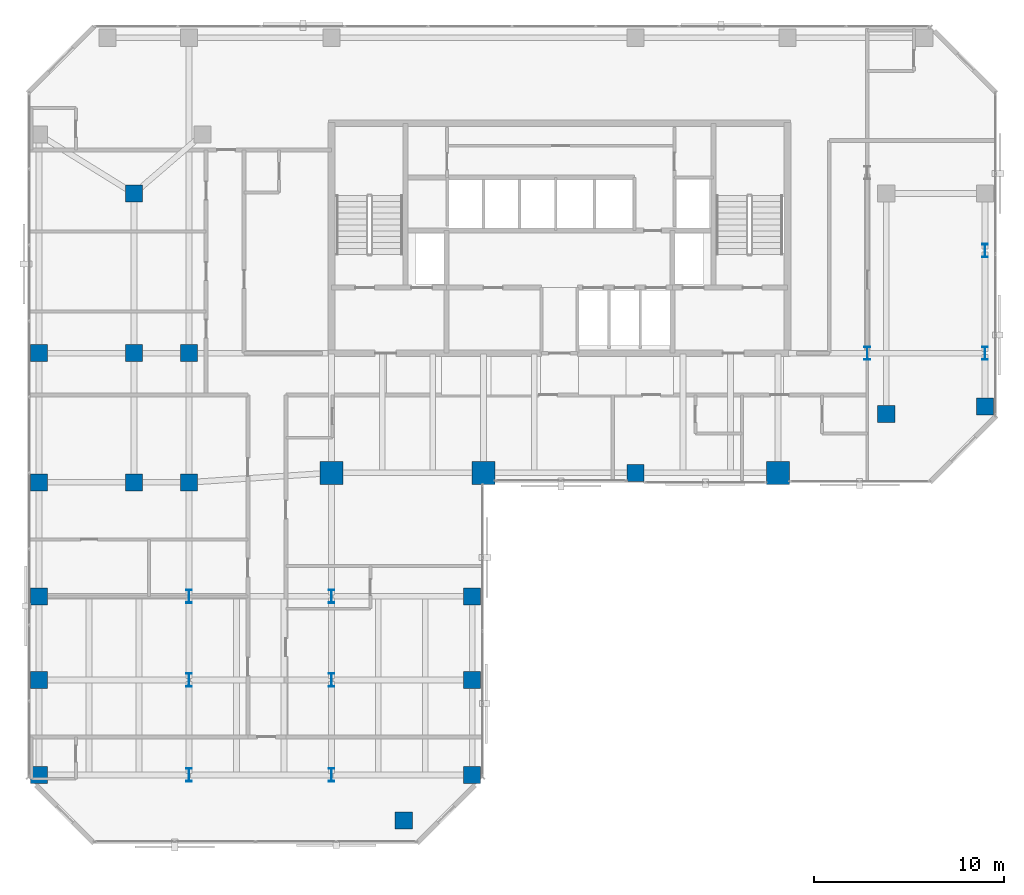
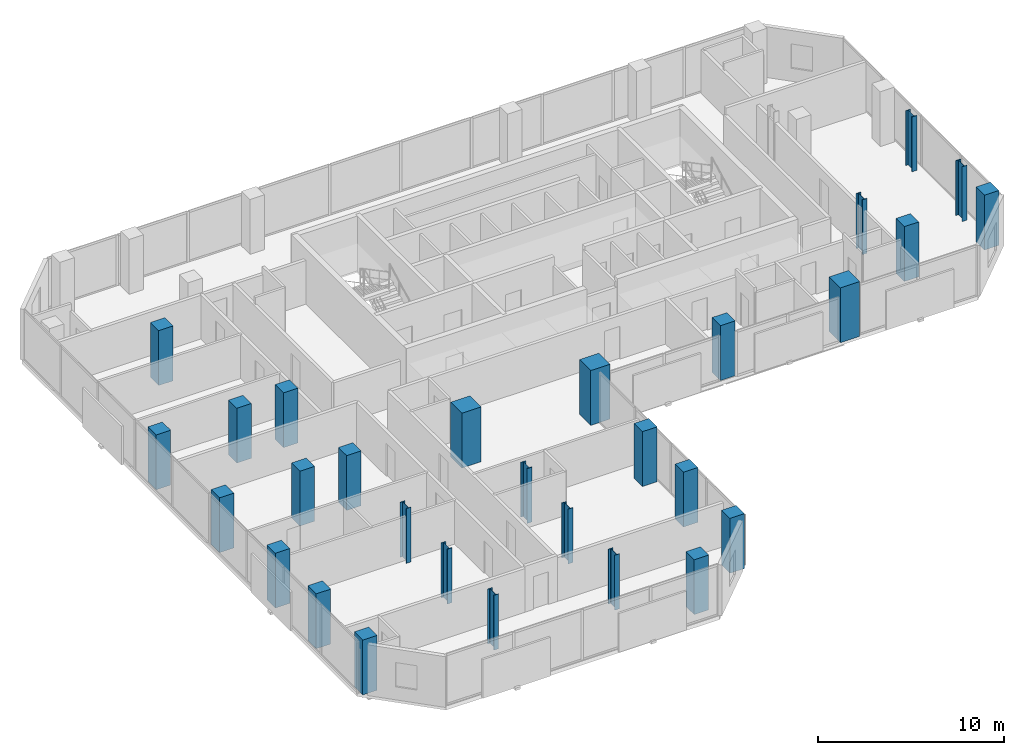
# One storey, part 1 of 34: 29 columns.
"""IFC4 building model written with IfcOpenShell, lengths in metres."""

from ifc_helpers import new_model, si_unit, direction, frame, origin, origin_2d, place, context, subcontext, project, spatial, rectangle, i_section, extrude, material, material_profile, profile_set, type_object, element, save


model = new_model("IFC4")

# Units and contexts
model_context = context("Model", 3, precision=1e-05, world=origin(), true_north=direction((0.0, 1.0)))
body_context = subcontext(model_context, "Body", "Model", "MODEL_VIEW")
ifc_project = project(units=[si_unit("LENGTHUNIT", "METRE"), si_unit("AREAUNIT", "SQUARE_METRE"), si_unit("VOLUMEUNIT", "CUBIC_METRE"), si_unit("PLANEANGLEUNIT", "RADIAN"), si_unit("MASSUNIT", "GRAM", prefix="KILO")], contexts=[model_context])

# Site, building, storey
site_placement = place(None, origin())
site = spatial("IfcSite", under=ifc_project, at=site_placement, CompositionType="ELEMENT")
building_placement = place(site_placement, origin())
building = spatial("IfcBuilding", under=site, at=building_placement, Name="Catumbela Crestline Tower", CompositionType="ELEMENT")
storey_placement = place(building_placement, frame((0.0, 0.0, 111.6)))
storey = spatial("IfcBuildingStorey", under=building, at=storey_placement, Name="L28", CompositionType="ELEMENT", Elevation=111.6)

# Columns
ifc_material_1 = material(Name="Concrete C50/60", Category="concrete")
ifc_material_profile_1 = material_profile(ifc_material_1, rectangle(XDim=1.2, YDim=1.2, at=origin_2d()), Name="RC 1200x1200")
ifc_profile_set_1 = profile_set([ifc_material_profile_1], Name="Concrete C50/60")
column_type_1 = type_object("IfcColumnType", Name="C-RC1200-C50", PredefinedType="COLUMN", material=ifc_profile_set_1)
for number, where, z_axis, x_axis, name in (
    (1, (16.0, 24.5, 0.0), (0.0, 0.0, 1.0), (1.0, 0.0, 0.0), "L28 Column C-16-24 (RC 1200x1200)"),
    (2, (24.0, 24.5, 0.0), (0.0, 0.0, 1.0), (1.0, 0.0, 0.0), "L28 Column C-24-24 (RC 1200x1200)"),
    (3, (39.5, 24.5, 0.0), (0.0, 0.0, 1.0), (1.0, 0.0, 0.0), "L28 Column C-40-24 (RC 1200x1200)"),
):
    element("IfcColumn", number, at=place(storey_placement, frame(where, z_axis=z_axis, x_axis=x_axis)), inside=storey, type_object=column_type_1, Name=name, PredefinedType="COLUMN", context=body_context, shape_type="SweptSolid", body=[
        extrude(rectangle(XDim=1.2, YDim=1.2, at=origin_2d()), origin(), (0.0, 0.0, 1.0), 3.6),
    ])
ifc_material_profile_2 = material_profile(ifc_material_1, rectangle(XDim=0.9, YDim=0.9, at=origin_2d()), Name="RC 900x900")
ifc_profile_set_2 = profile_set([ifc_material_profile_2], Name="Concrete C50/60")
column_type_2 = type_object("IfcColumnType", Name="C-RC900-C50", PredefinedType="COLUMN", material=ifc_profile_set_2)
for number, where, z_axis, x_axis, name in (
    (4, (8.5, 24.0, 0.0), (0.0, 0.0, 1.0), (1.0, 0.0, 0.0), "L28 Column C-08-24 (RC 900x900)"),
    (5, (32.0, 24.5, 0.0), (0.0, 0.0, 1.0), (1.0, 0.0, 0.0), "L28 Column C-32-24 (RC 900x900)"),
    (6, (5.6, 24.0, 0.0), (0.0, 0.0, 1.0), (1.0, 0.0, 0.0), "L28 Column C-05-24 (RC 900x900)"),
    (7, (5.6, 30.8, 0.0), (0.0, 0.0, 1.0), (1.0, 0.0, 0.0), "L28 Column C-05-31 (RC 900x900)"),
    (8, (5.6, 39.2, 0.0), (0.0, 0.0, 1.0), (1.0, 0.0, 0.0), "L28 Column C-05-43 (RC 900x900)"),
    (9, (8.5, 30.8, 0.0), (0.0, 0.0, 1.0), (1.0, 0.0, 0.0), "L28 Column C-08-31 (RC 900x900)"),
    (10, (45.2, 27.6, 0.0), (0.0, 0.0, 1.0), (1.0, 0.0, 0.0), "L28 Column C-46-24 (RC 900x900)"),
    (11, (0.6, 24.0, 0.0), (0.0, 0.0, 1.0), (1.0, 0.0, 0.0), "L28 Column C-00-24 (RC 900x900)"),
    (12, (0.6, 30.8, 0.0), (0.0, 0.0, 1.0), (1.0, 0.0, 0.0), "L28 Column C-00-31 (RC 900x900)"),
    (13, (50.4, 28.0, 0.0), (0.0, 0.0, 1.0), (1.0, 0.0, 0.0), "L28 Column C-51-24 (RC 900x900)"),
    (14, (0.6, 8.6, 0.0), (0.0, 0.0, 1.0), (1.0, 0.0, 0.0), "L28 Column C-00-05 (RC 900x900)"),
    (15, (0.6, 13.6, 0.0), (0.0, 0.0, 1.0), (1.0, 0.0, 0.0), "L28 Column C-00-10 (RC 900x900)"),
    (16, (0.6, 18.0, 0.0), (0.0, 0.0, 1.0), (1.0, 0.0, 0.0), "L28 Column C-00-16 (RC 900x900)"),
    (17, (19.8, 6.2, 0.0), (0.0, 0.0, 1.0), (1.0, 0.0, 0.0), "L28 Column C-24-05 (RC 900x900)"),
    (18, (23.4, 8.6, 0.0), (0.0, 0.0, 1.0), (1.0, 0.0, 0.0), "L28 Column C-23-08 (RC 900x900)"),
    (19, (23.4, 13.6, 0.0), (0.0, 0.0, 1.0), (1.0, 0.0, 0.0), "L28 Column C-24-10 (RC 900x900)"),
    (20, (23.4, 18.0, 0.0), (0.0, 0.0, 1.0), (1.0, 0.0, 0.0), "L28 Column C-24-16 (RC 900x900)"),
):
    element("IfcColumn", number, at=place(storey_placement, frame(where, z_axis=z_axis, x_axis=x_axis)), inside=storey, type_object=column_type_2, Name=name, PredefinedType="COLUMN", context=body_context, shape_type="SweptSolid", body=[
        extrude(rectangle(XDim=0.9, YDim=0.9, at=origin_2d()), origin(), (0.0, 0.0, 1.0), 3.6),
    ])
ifc_material_2 = material(Name="Structural steel S460M", Category="steel")
ifc_material_profile_3 = material_profile(ifc_material_2, i_section(OverallWidth=0.3, OverallDepth=0.7, WebThickness=0.017, FlangeThickness=0.032, FilletRadius=0.027, at=origin_2d()), Name="HEB 700")
ifc_profile_set_3 = profile_set([ifc_material_profile_3], Name="Structural steel S460M")
column_type_3 = type_object("IfcColumnType", Name="C-ST-HEB700", PredefinedType="COLUMN", material=ifc_profile_set_3)
for number, where, z_axis, x_axis, name in (
    (21, (8.5, 8.6, 0.0), (0.0, 0.0, 1.0), (1.0, 0.0, 0.0), "L28 Column CT-05-05 (HEB 700)"),
    (22, (16.0, 8.6, 0.0), (0.0, 0.0, 1.0), (1.0, 0.0, 0.0), "L28 Column CT-14-05 (HEB 700)"),
    (23, (8.5, 13.6, 0.0), (0.0, 0.0, 1.0), (1.0, 0.0, 0.0), "L28 Column CT-05-10 (HEB 700)"),
    (24, (16.0, 13.6, 0.0), (0.0, 0.0, 1.0), (1.0, 0.0, 0.0), "L28 Column CT-14-10 (HEB 700)"),
    (25, (8.5, 18.0, 0.0), (0.0, 0.0, 1.0), (1.0, 0.0, 0.0), "L28 Column CT-05-16 (HEB 700)"),
    (26, (16.0, 18.0, 0.0), (0.0, 0.0, 1.0), (1.0, 0.0, 0.0), "L28 Column CT-14-16 (HEB 700)"),
    (27, (44.2, 30.8, 0.0), (0.0, 0.0, 1.0), (1.0, 0.0, 0.0), "L28 Column CT-46-31 (HEB 700)"),
    (28, (50.4, 30.8, 0.0), (0.0, 0.0, 1.0), (1.0, 0.0, 0.0), "L28 Column CT-51-31 (HEB 700)"),
    (29, (50.4, 36.2, 0.0), (0.0, 0.0, 1.0), (1.0, 0.0, 0.0), "L28 Column CT-51-37 (HEB 700)"),
):
    element("IfcColumn", number, at=place(storey_placement, frame(where, z_axis=z_axis, x_axis=x_axis)), inside=storey, type_object=column_type_3, Name=name, PredefinedType="COLUMN", context=body_context, shape_type="SweptSolid", body=[
        extrude(i_section(OverallWidth=0.3, OverallDepth=0.7, WebThickness=0.017, FlangeThickness=0.032, FilletRadius=0.027, at=origin_2d()), origin(), (0.0, 0.0, 1.0), 3.6),
    ])

save(model, "model.ifc")
